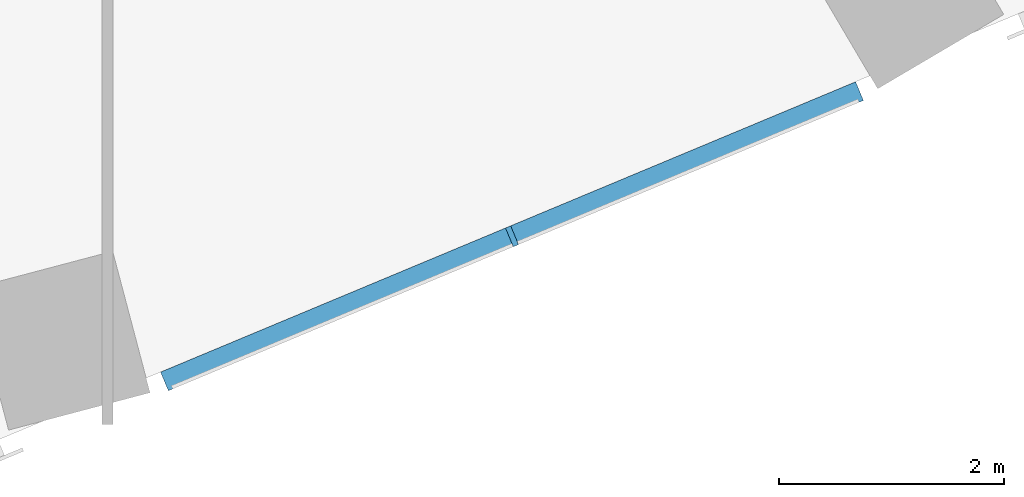
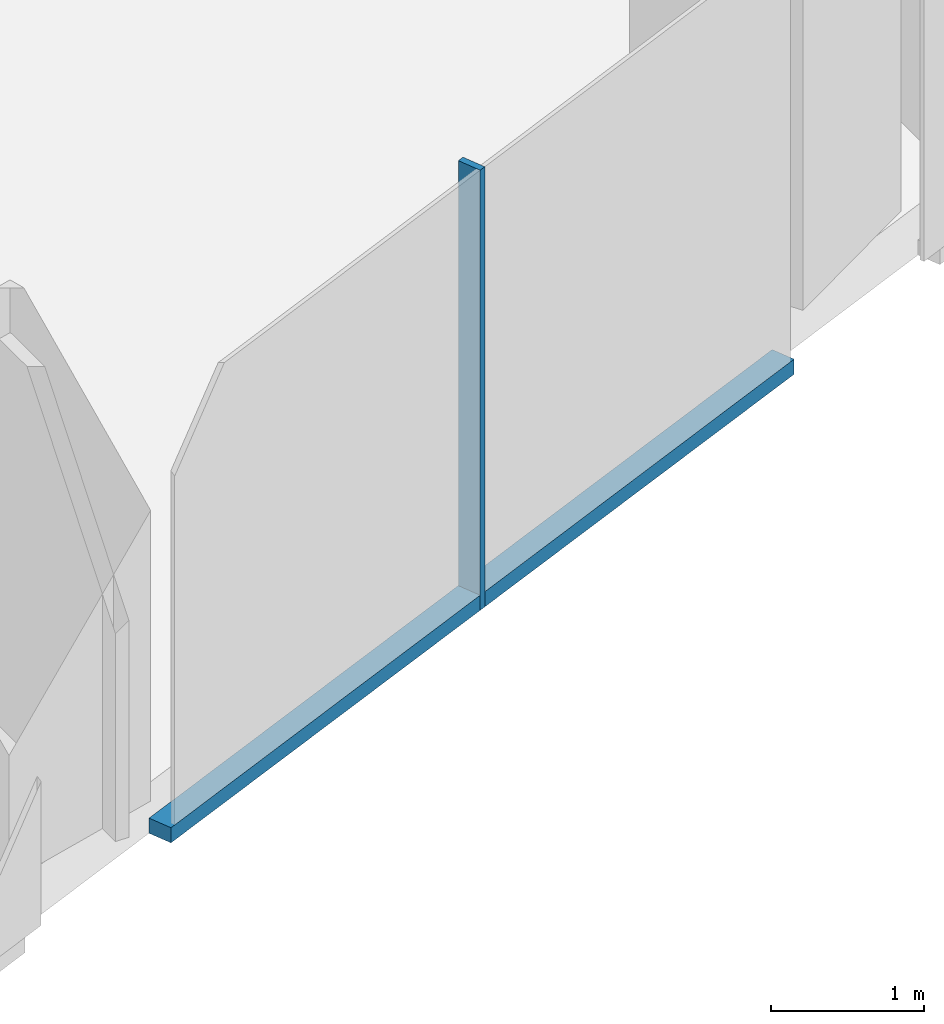
# One storey, part 6 of 34: 2 members, 1 element without a shape of its own.
"""IFC4 building model written with IfcOpenShell, lengths in metres."""

from ifc_helpers import new_model, si_unit, direction, frame, origin, origin_2d, place, context, subcontext, project, spatial, rectangle, extrude, material, material_profile, profile_set, type_object, element, aggregate, save


model = new_model("IFC4")

# Units and contexts
model_context = context("Model", 3, precision=1e-05, world=origin(), true_north=direction((0.0, 1.0)))
body_context = subcontext(model_context, "Body", "Model", "MODEL_VIEW")
ifc_project = project(units=[si_unit("LENGTHUNIT", "METRE"), si_unit("AREAUNIT", "SQUARE_METRE"), si_unit("VOLUMEUNIT", "CUBIC_METRE"), si_unit("PLANEANGLEUNIT", "RADIAN"), si_unit("MASSUNIT", "GRAM", prefix="KILO")], contexts=[model_context])

# Site, building, storey
site_placement = place(None, origin())
site = spatial("IfcSite", under=ifc_project, at=site_placement, CompositionType="ELEMENT")
building_placement = place(site_placement, origin())
building = spatial("IfcBuilding", under=site, at=building_placement, Name="Orlundy Tower", CompositionType="ELEMENT")
storey_placement = place(building_placement, frame((0.0, 0.0, 112.699951171875)))
storey = spatial("IfcBuildingStorey", under=building, at=storey_placement, Name="L28", CompositionType="ELEMENT", Elevation=112.699951171875)

# Curtain wall, members
ifc_material_1 = material(Name="Aluminium bronze anodised", Category="aluminium")
curtain_wall_type = type_object("IfcCurtainWallType", Name="CW1 wall", PredefinedType="NOTDEFINED", material=ifc_material_1)
curtain_wall_placement = place(storey_placement, origin())
curtain_wall = element("IfcCurtainWall", 1, at=curtain_wall_placement, inside=storey, type_object=curtain_wall_type, Name="CW1 run 01", PredefinedType="NOTDEFINED")
ifc_material_2 = material(Name="Aluminium bronze anodised", Category="aluminium")
ifc_material_profile_1 = material_profile(ifc_material_2, rectangle(XDim=0.179931640625, YDim=0.050048828125, at=origin_2d()), Name="CW1 mullion 50x180")
ifc_profile_set_1 = profile_set([ifc_material_profile_1], Name="Aluminium bronze anodised")
member_type_1 = type_object("IfcMemberType", Name="CW1 mullion 50x180", PredefinedType="MULLION", material=ifc_profile_set_1)
member_1_placement = place(storey_placement, frame((11.595703125, -27.76611328125, -0.39990234375), z_axis=(0.0, 0.0, 1.0), x_axis=(0.385377262048, -0.922759105019, 0.0)))
member_1 = element("IfcMember", 2, at=member_1_placement, type_object=member_type_1, Name="CW1 mullion 8", PredefinedType="MULLION", context=body_context, shape_type="SweptSolid", body=[
    extrude(rectangle(XDim=0.179931640625, YDim=0.050048828125, at=origin_2d()), origin(), (0.0, 0.0, 1.0), 3.5),
])
ifc_material_3 = material(Name="Aluminium bronze anodised", Category="aluminium")
ifc_material_profile_2 = material_profile(ifc_material_3, rectangle(XDim=0.179931640625, YDim=0.1201171875, at=origin_2d()), Name="CW1 transom 180x120")
ifc_profile_set_2 = profile_set([ifc_material_profile_2], Name="Aluminium bronze anodised")
member_type_2 = type_object("IfcMemberType", Name="CW1 transom 180x120", PredefinedType="USERDEFINED", material=ifc_profile_set_2)
member_2_placement = place(storey_placement, frame((14.6845703125, -26.47607421875, -0.33984375), z_axis=(-0.922764802462, -0.385363619635, 0.0), x_axis=(0.385363619635, -0.922764802462, 0.0)))
member_2 = element("IfcMember", 3, at=member_2_placement, type_object=member_type_2, Name="CW1 transom", ObjectType="TRANSOM", PredefinedType="USERDEFINED", context=body_context, shape_type="SweptSolid", body=[
    extrude(rectangle(XDim=0.179931640625, YDim=0.1201171875, at=origin_2d()), origin(), (0.0, 0.0, 1.0), 6.694580078125),
])
aggregate(curtain_wall, [member_1, member_2])

save(model, "model.ifc")
